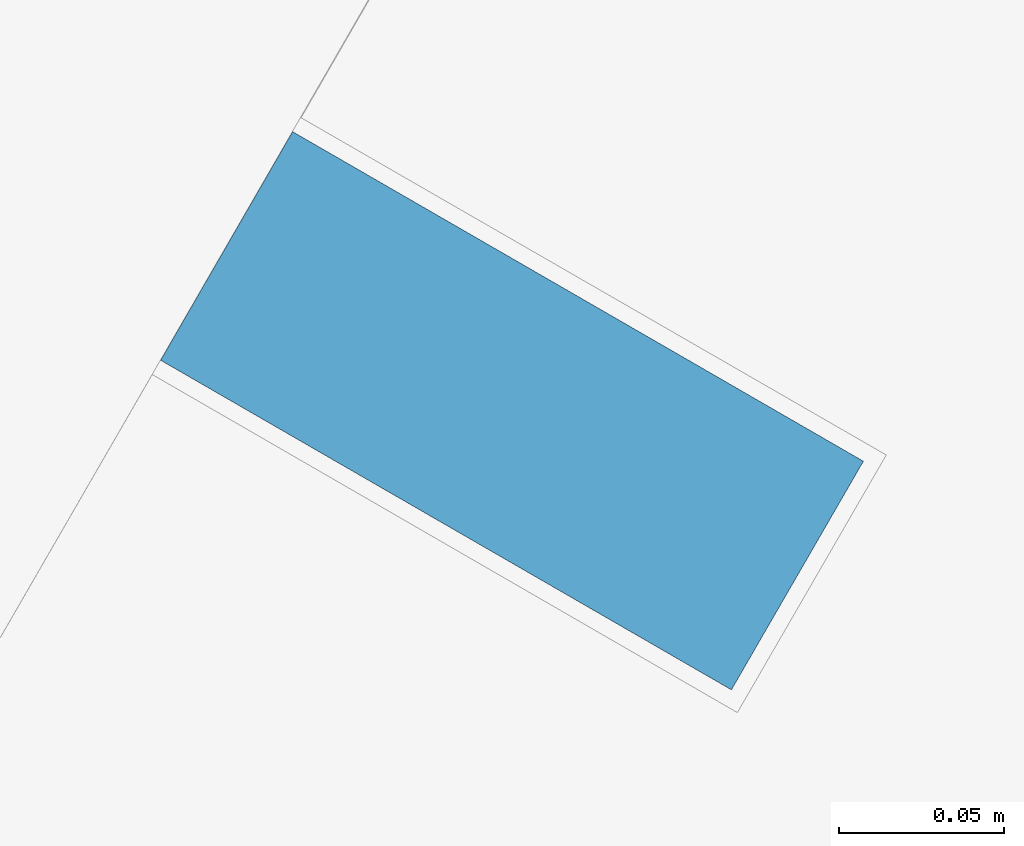
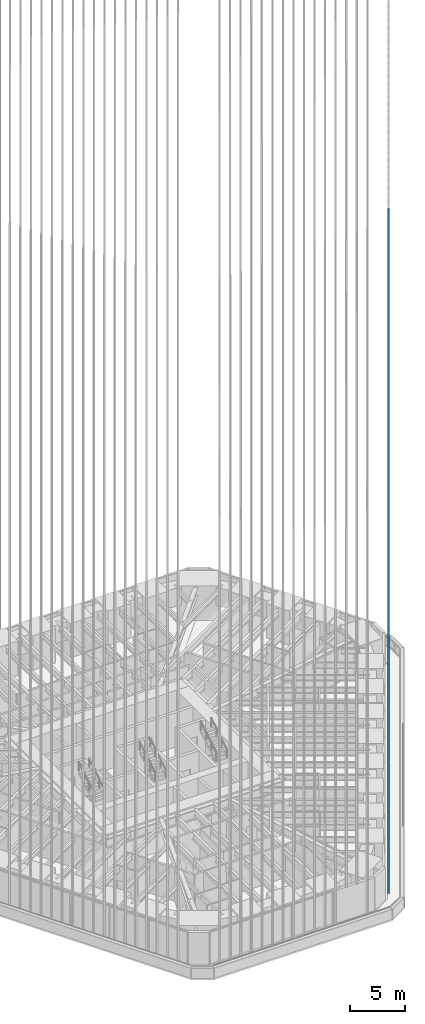
# One storey, part 68 of 238: 1 member, 1 element without a shape of its own.
"""IFC4 building model written with IfcOpenShell, lengths in metres."""

from ifc_helpers import new_model, si_unit, direction, frame, origin, origin_2d, place, context, subcontext, project, spatial, rectangle, extrude, material, material_profile, profile_set, type_object, element, aggregate, save


model = new_model("IFC4")

# Units and contexts
model_context = context("Model", 3, precision=1e-05, world=origin(), true_north=direction((0.0, 1.0)))
body_context = subcontext(model_context, "Body", "Model", "MODEL_VIEW")
ifc_project = project(units=[si_unit("LENGTHUNIT", "METRE"), si_unit("AREAUNIT", "SQUARE_METRE"), si_unit("VOLUMEUNIT", "CUBIC_METRE"), si_unit("PLANEANGLEUNIT", "RADIAN"), si_unit("MASSUNIT", "GRAM", prefix="KILO")], contexts=[model_context])

# Site, building, storey
site_placement = place(None, origin())
site = spatial("IfcSite", under=ifc_project, at=site_placement, CompositionType="ELEMENT")
building_placement = place(site_placement, origin())
building = spatial("IfcBuilding", under=site, at=building_placement, Name="Sandreach Pilgrim Tower", CompositionType="ELEMENT")
storey_placement = place(building_placement, frame((0.0, 0.0, 96.800048828125)))
storey = spatial("IfcBuildingStorey", under=building, at=storey_placement, Name="L23", CompositionType="ELEMENT", Elevation=96.800048828125)

# Curtain wall, member
ifc_material_1 = material(Name="Aluminium framed curtain wall", Category="aluminium")
curtain_wall_type = type_object("IfcCurtainWallType", Name="Hotel tower curtain wall", PredefinedType="NOTDEFINED", material=ifc_material_1)
curtain_wall_placement = place(storey_placement, origin())
curtain_wall = element("IfcCurtainWall", 1, at=curtain_wall_placement, inside=storey, type_object=curtain_wall_type, Name="CW-2 L23 SE", PredefinedType="NOTDEFINED")
ifc_material_2 = material(Name="Extruded terracotta on aluminium core", Category="masonry")
ifc_material_profile = material_profile(ifc_material_2, rectangle(XDim=0.080078125, YDim=0.199951171875, at=origin_2d()), Name="TBE 80X200")
ifc_profile_set = profile_set([ifc_material_profile], Name="Extruded terracotta on aluminium core")
member_type = type_object("IfcMemberType", Name="Terracotta baguette east", PredefinedType="USERDEFINED", material=ifc_profile_set)
member_placement = place(storey_placement, frame((11.020751953125, -26.698974609375, 0.0), z_axis=(0.0, 0.0, 1.0), x_axis=(-0.5, -0.866025403784, 0.0)))
member = element("IfcMember", 2, at=member_placement, type_object=member_type, Name="Baguette Z2 SE33", ObjectType="BAGUETTE", PredefinedType="USERDEFINED", context=body_context, shape_type="SweptSolid", body=[
    extrude(rectangle(XDim=0.080078125, YDim=0.199951171875, at=origin_2d()), origin(), (0.0, 0.0, 1.0), 75.83984375),
])
aggregate(curtain_wall, [member])

save(model, "model.ifc")
